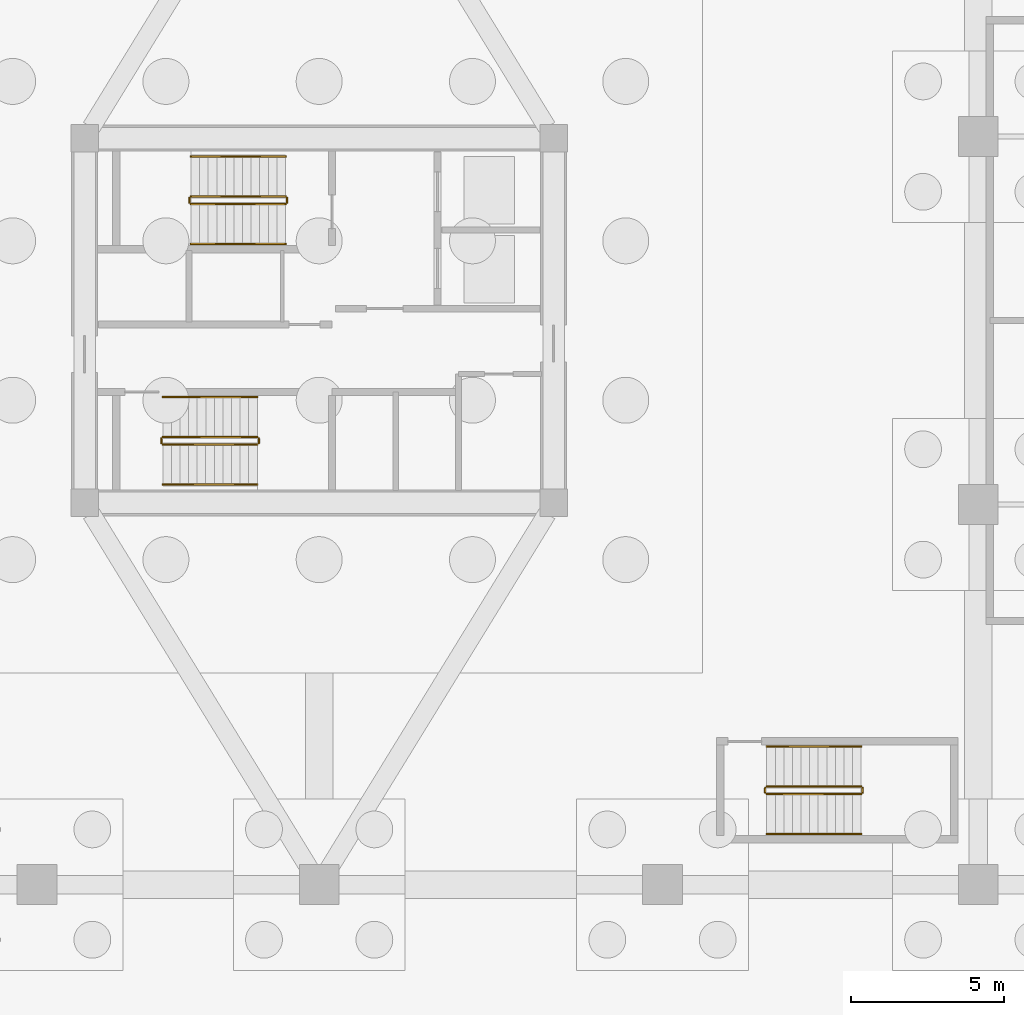
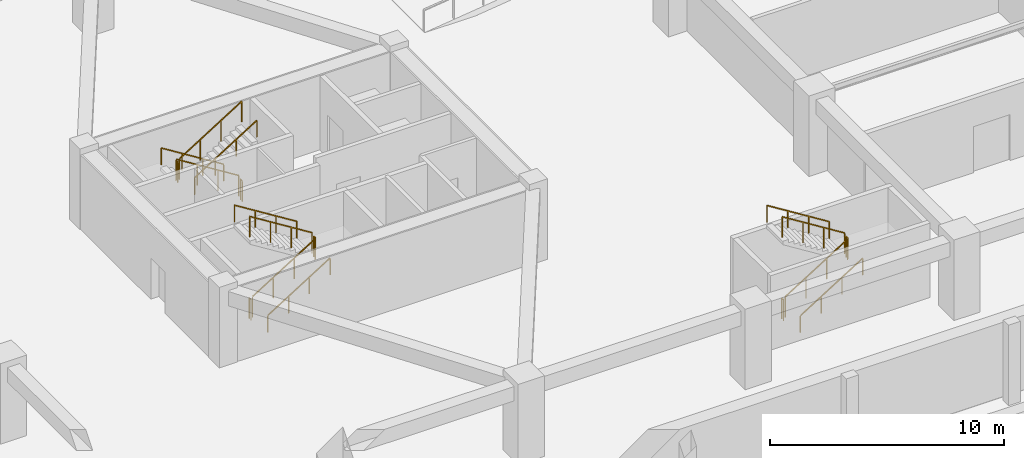
# One storey, part 10 of 14: 18 railings.
"""IFC4 building model written with IfcOpenShell, lengths in metres."""

import ifcopenshell
import ifcopenshell.guid

model = None  # the IFC model being written
_history = None  # IfcOwnerHistory: only IFC2X3 demands one
_inside = {}  # id of a spatial element -> (the spatial element, [elements in it])
_under = {}  # id of a project, library or spatial element -> (it, [spatial elements below it])
_declared = {}  # id of a project -> (the project, [libraries it declares])
_typed = {}  # id of a type object -> (the type object, [elements of that type])
_made_of = {}  # id of a material, layer set ... -> (it, [elements and type objects made of it])


def new_model(schema):
    """Start an empty IFC model of exactly this schema.

    Asked for "IFC4X3", IfcOpenShell would pick the latest addendum, in which some entities
    have other attributes; the version numbers below select the first issue.
    IFC2X3 requires an IfcOwnerHistory on every rooted entity: one is made here for all.
    """
    global model, _history
    if schema == "IFC4X3":
        model = ifcopenshell.file(schema_version=(4, 3, 0, 0))
    else:
        model = ifcopenshell.file(schema=schema)
    _inside.clear()
    _under.clear()
    _declared.clear()
    _typed.clear()
    _made_of.clear()
    _history = None
    if model.schema == "IFC2X3":
        org = make("IfcOrganization", Name="unknown")
        user = make(
            "IfcPersonAndOrganization",
            ThePerson=make("IfcPerson", FamilyName="unknown"),
            TheOrganization=org,
        )
        app = make(
            "IfcApplication",
            ApplicationDeveloper=org,
            Version="unknown",
            ApplicationFullName="unknown",
            ApplicationIdentifier="unknown",
        )
        _history = make(
            "IfcOwnerHistory",
            OwningUser=user,
            OwningApplication=app,
            ChangeAction="ADDED",
            CreationDate=0,
        )
    return model


def make(cls, **values):
    """One entity of the class cls with the attributes given. An attribute that is None is left unset."""
    return model.create_entity(
        cls, **{name: value for name, value in values.items() if value is not None}
    )


def rooted(cls, **values):
    """An entity with a GlobalId (a new one), such as an element, a storey or a relation."""
    return make(cls, GlobalId=ifcopenshell.guid.new(), OwnerHistory=_history, **values)


def si_unit(unit_type, name, prefix=None):
    """IfcSIUnit, for example si_unit("LENGTHUNIT", "METRE", prefix="MILLI")."""
    return make("IfcSIUnit", UnitType=unit_type, Prefix=prefix, Name=name)


def assignment(units):
    """IfcUnitAssignment: the units of a project."""
    return None if units is None else make("IfcUnitAssignment", Units=units)


def point(xyz):
    """IfcCartesianPoint."""
    return None if xyz is None else make("IfcCartesianPoint", Coordinates=xyz)


def direction(xyz):
    """IfcDirection."""
    return None if xyz is None else make("IfcDirection", DirectionRatios=xyz)


def frame(location, z_axis=None, x_axis=None):
    """IfcAxis2Placement3D, a coordinate frame: its origin and axes. An axis left out is left unset."""
    return make(
        "IfcAxis2Placement3D",
        Location=point(location),
        Axis=direction(z_axis),
        RefDirection=direction(x_axis),
    )


def frame_2d(location, x_axis=None):
    """IfcAxis2Placement2D, a coordinate frame in the plane: its origin and x axis."""
    return make(
        "IfcAxis2Placement2D", Location=point(location), RefDirection=direction(x_axis)
    )


def origin():
    """The frame at (0, 0, 0) with its axes left unset."""
    return frame((0.0, 0.0, 0.0))


def origin_2d():
    """The frame at (0, 0) in the plane with its x axis left unset."""
    return frame_2d((0.0, 0.0))


def place(relative_to, where):
    """IfcLocalPlacement: puts the frame where relative to a parent placement (None: the world)."""
    return make(
        "IfcLocalPlacement", PlacementRelTo=relative_to, RelativePlacement=where
    )


def context(
    kind, dimensions, precision=None, world=None, true_north=None, identifier=None
):
    """IfcGeometricRepresentationContext, for example the 3D "Model" context."""
    return make(
        "IfcGeometricRepresentationContext",
        ContextIdentifier=identifier,
        ContextType=kind,
        CoordinateSpaceDimension=dimensions,
        Precision=precision,
        WorldCoordinateSystem=world,
        TrueNorth=true_north,
    )


def subcontext(parent, identifier, kind, view, scale=None):
    """IfcGeometricRepresentationSubContext, for example "Body" below "Model"."""
    return make(
        "IfcGeometricRepresentationSubContext",
        ContextIdentifier=identifier,
        ContextType=kind,
        ParentContext=parent,
        TargetScale=scale,
        TargetView=view,
    )


def project(units=None, contexts=None):
    """IfcProject with its units and contexts."""
    return rooted(
        "IfcProject",
        Name="project",
        RepresentationContexts=contexts,
        UnitsInContext=assignment(units),
    )


def spatial(cls, under=None, at=None, **own):
    """A site, building, storey or space (cls), placed at a placement, below another one or the project."""
    s = rooted(cls, ObjectPlacement=at, **own)
    if under is not None:
        _under.setdefault(under.id(), (under, []))[1].append(s)
    return s


def profile(cls, at=None, kind="AREA", **sizes):
    """A parametric profile (cls). Its sizes go by their IFC names, for example OverallWidth=200.0."""
    return make(cls, ProfileType=kind, Position=at, **sizes)


def rectangle(**sizes):
    """IfcRectangleProfileDef."""
    return profile("IfcRectangleProfileDef", **sizes)


def extrude(swept, where, along, depth):
    """IfcExtrudedAreaSolid: the profile swept, set in the frame where, extruded along a direction by depth."""
    return make(
        "IfcExtrudedAreaSolid",
        SweptArea=swept,
        Position=where,
        ExtrudedDirection=direction(along),
        Depth=depth,
    )


def shape(context_of_items, identifier, shape_type, items):
    """IfcShapeRepresentation: the items that make up one representation, for example the "Body"."""
    return make(
        "IfcShapeRepresentation",
        ContextOfItems=context_of_items,
        RepresentationIdentifier=identifier,
        RepresentationType=shape_type,
        Items=items,
    )


def material(Name=None, Category=None):
    """IfcMaterial."""
    return make("IfcMaterial", Name=Name, Category=Category)


def made_of(thing, what):
    """Note that an element or type object is made of a material, layer set ...; save() writes the relation."""
    if what is not None:
        _made_of.setdefault(what.id(), (what, []))[1].append(thing)
    return thing


def type_object(cls, material=None, **own):
    """A type object (cls), such as IfcWallType, which elements share."""
    return made_of(rooted(cls, **own), material)


def element(
    cls,
    number,
    at=None,
    inside=None,
    cuts=None,
    type_object=None,
    material=None,
    context=None,
    identifier="Body",
    shape_type=None,
    held_by="IfcProductDefinitionShape",
    body=None,
    shapes=None,
    **own,
):
    """One element of the class cls, such as IfcWall. Its Tag is "e" and its number.

    at: its placement. inside: the storey or other place that contains it. cuts: it is an
    opening in that element (IfcRelVoidsElement). A single representation is given by context,
    identifier, shape_type and body (its items); several are given by shapes. held_by: the class
    of the entity that holds the representations. save() writes the other relations.
    """
    e = rooted(cls, Tag="e%d" % number, ObjectPlacement=at, **own)
    if body is not None:
        shapes = [shape(context, identifier, shape_type, body)]
    if shapes is not None:
        e.Representation = make(held_by, Representations=shapes)
    if inside is not None:
        _inside.setdefault(inside.id(), (inside, []))[1].append(e)
    if cuts is not None:
        rooted(
            "IfcRelVoidsElement", RelatingBuildingElement=cuts, RelatedOpeningElement=e
        )
    if type_object is not None:
        _typed.setdefault(type_object.id(), (type_object, []))[1].append(e)
    return made_of(e, material)


def aggregate(whole, parts):
    """IfcRelAggregates: a whole, such as a stair, and the parts it consists of."""
    return rooted("IfcRelAggregates", RelatingObject=whole, RelatedObjects=parts)


def save(model, path):
    """Write the relations noted so far, then the file.

    IfcRelAggregates (storeys below a building ...), IfcRelContainedInSpatialStructure (elements
    in a storey), IfcRelDefinesByType, IfcRelAssociatesMaterial and IfcRelDeclares: one each for
    every whole, place, type object, material and project.
    """
    for whole, parts in _under.values():
        aggregate(whole, parts)
    for where, things in _inside.values():
        rooted(
            "IfcRelContainedInSpatialStructure",
            RelatedElements=things,
            RelatingStructure=where,
        )
    for kind, things in _typed.values():
        rooted("IfcRelDefinesByType", RelatedObjects=things, RelatingType=kind)
    for what, things in _made_of.values():
        rooted("IfcRelAssociatesMaterial", RelatedObjects=things, RelatingMaterial=what)
    for by, libraries in _declared.values():
        rooted("IfcRelDeclares", RelatingContext=by, RelatedDefinitions=libraries)
    model.write(path)


model = new_model("IFC4")

# Units and contexts
model_context = context("Model", 3, precision=1e-05, world=origin(), true_north=direction((0.0, 1.0)))
body_context = subcontext(model_context, "Body", "Model", "MODEL_VIEW")
ifc_project = project(units=[si_unit("LENGTHUNIT", "METRE"), si_unit("AREAUNIT", "SQUARE_METRE"), si_unit("VOLUMEUNIT", "CUBIC_METRE"), si_unit("PLANEANGLEUNIT", "RADIAN"), si_unit("MASSUNIT", "GRAM", prefix="KILO")], contexts=[model_context])

# Site, building, storey
site_placement = place(None, origin())
site = spatial("IfcSite", under=ifc_project, at=site_placement, CompositionType="ELEMENT")
building_placement = place(site_placement, origin())
building = spatial("IfcBuilding", under=site, at=building_placement, Name="Norrkilde Senior Care Towers", CompositionType="ELEMENT")
storey_placement = place(building_placement, frame((0.0, 0.0, -8.39990234375)))
storey = spatial("IfcBuildingStorey", under=building, at=storey_placement, Name="B2", CompositionType="ELEMENT", Elevation=-8.39990234375)

# Railings
ifc_material_1 = material(Name="Stainless Steel", Category="steel")
railing_type_1 = type_object("IfcRailingType", Name="Stair and Terrace Guardrail 1100", PredefinedType="GUARDRAIL", material=ifc_material_1)
railing_1_placement = place(storey_placement, frame((-29.10009765625, 4.050048828125, 0.1748046875)))
element("IfcRailing", 1, at=railing_1_placement, inside=storey, type_object=railing_type_1, Name="B2 ST-W1 stair guard 1", PredefinedType="GUARDRAIL", context=body_context, shape_type="SweptSolid", body=[
    extrude(rectangle(XDim=0.048095703125, YDim=0.048095703125, at=origin_2d()), frame((0.0, 0.0, 1.076171875), z_axis=(-0.847979421464, 0.0, 0.530029150871), x_axis=(0.0, -1.0, 0.0)), (0.0, 0.0, 1.0), 3.632080078125),
    extrude(rectangle(XDim=0.0419921875, YDim=0.0419921875, at=origin_2d()), origin(), (0.0, 0.0, 1.0), 1.050048828125),
    extrude(rectangle(XDim=0.0419921875, YDim=0.0419921875, at=origin_2d()), frame((-1.026611328125, 0.0, 0.6416015625)), (0.0, 0.0, 1.0), 1.050048828125),
    extrude(rectangle(XDim=0.0419921875, YDim=0.0419921875, at=origin_2d()), frame((-2.05322265625, 0.0, 1.283447265625)), (0.0, 0.0, 1.0), 1.050048828125),
    extrude(rectangle(XDim=0.0419921875, YDim=0.0419921875, at=origin_2d()), frame((-3.079833984375, 0.0, 1.925048828125)), (0.0, 0.0, 1.0), 1.050048828125),
])
railing_2_placement = place(storey_placement, frame((-32.22998046875, 4.0, 2.099853515625)))
element("IfcRailing", 2, at=railing_2_placement, inside=storey, type_object=railing_type_1, Name="B2 ST-W1 stair guard 2", PredefinedType="GUARDRAIL", context=body_context, shape_type="SweptSolid", body=[
    extrude(rectangle(XDim=0.048095703125, YDim=0.048095703125, at=origin_2d()), frame((0.0, 0.0, 1.076171875), z_axis=(0.0, -1.0, 0.0), x_axis=(1.0, 0.0, 0.0)), (0.0, 0.0, 1.0), 0.14990234375),
    extrude(rectangle(XDim=0.0419921875, YDim=0.0419921875, at=origin_2d()), origin(), (0.0, 0.0, 1.0), 1.050048828125),
    extrude(rectangle(XDim=0.0419921875, YDim=0.0419921875, at=origin_2d()), frame((0.0, -0.14990234375, 0.0)), (0.0, 0.0, 1.0), 1.050048828125),
])
railing_3_placement = place(storey_placement, frame((-32.179931640625, 3.800048828125, 2.27490234375)))
element("IfcRailing", 3, at=railing_3_placement, inside=storey, type_object=railing_type_1, Name="B2 ST-W1 stair guard 3", PredefinedType="GUARDRAIL", context=body_context, shape_type="SweptSolid", body=[
    extrude(rectangle(XDim=0.048095703125, YDim=0.048095703125, at=origin_2d()), frame((0.0, 0.0, 1.076171875), z_axis=(0.847979421464, 0.0, 0.530029150871), x_axis=(0.0, 1.0, 0.0)), (0.0, 0.0, 1.0), 3.632080078125),
    extrude(rectangle(XDim=0.0419921875, YDim=0.0419921875, at=origin_2d()), origin(), (0.0, 0.0, 1.0), 1.050048828125),
    extrude(rectangle(XDim=0.0419921875, YDim=0.0419921875, at=origin_2d()), frame((1.026611328125, 0.0, 0.6416015625)), (0.0, 0.0, 1.0), 1.050048828125),
    extrude(rectangle(XDim=0.0419921875, YDim=0.0419921875, at=origin_2d()), frame((2.05322265625, 0.0, 1.283447265625)), (0.0, 0.0, 1.0), 1.050048828125),
    extrude(rectangle(XDim=0.0419921875, YDim=0.0419921875, at=origin_2d()), frame((3.079833984375, 0.0, 1.925048828125)), (0.0, 0.0, 1.0), 1.050048828125),
])
railing_4_placement = place(storey_placement, frame((-29.050048828125, 4.0, 0.0)))
element("IfcRailing", 4, at=railing_4_placement, inside=storey, type_object=railing_type_1, Name="B2 ST-W1 stair guard 4", PredefinedType="GUARDRAIL", context=body_context, shape_type="SweptSolid", body=[
    extrude(rectangle(XDim=0.048095703125, YDim=0.048095703125, at=origin_2d()), frame((0.0, 0.0, 1.076171875), z_axis=(0.0, -1.0, 0.0), x_axis=(1.0, 0.0, 0.0)), (0.0, 0.0, 1.0), 0.14990234375),
    extrude(rectangle(XDim=0.0419921875, YDim=0.0419921875, at=origin_2d()), origin(), (0.0, 0.0, 1.0), 1.050048828125),
    extrude(rectangle(XDim=0.0419921875, YDim=0.0419921875, at=origin_2d()), frame((0.0, -0.14990234375, 0.0)), (0.0, 0.0, 1.0), 1.050048828125),
])
railing_5_placement = place(storey_placement, frame((-33.10009765625, -4.050048828125, 0.1748046875)))
element("IfcRailing", 5, at=railing_5_placement, inside=storey, type_object=railing_type_1, Name="B2 ST-W2 stair guard 1", PredefinedType="GUARDRAIL", context=body_context, shape_type="SweptSolid", body=[
    extrude(rectangle(XDim=0.048095703125, YDim=0.048095703125, at=origin_2d()), frame((0.0, 0.0, 1.076171875), z_axis=(0.847998304005, 0.0, 0.529998940003), x_axis=(0.0, 1.0, 0.0)), (0.0, 0.0, 1.0), 3.632080078125),
    extrude(rectangle(XDim=0.0419921875, YDim=0.0419921875, at=origin_2d()), origin(), (0.0, 0.0, 1.0), 1.050048828125),
    extrude(rectangle(XDim=0.0419921875, YDim=0.0419921875, at=origin_2d()), frame((1.026611328125, 0.0, 0.6416015625)), (0.0, 0.0, 1.0), 1.050048828125),
    extrude(rectangle(XDim=0.0419921875, YDim=0.0419921875, at=origin_2d()), frame((2.053466796875, 0.0, 1.283447265625)), (0.0, 0.0, 1.0), 1.050048828125),
    extrude(rectangle(XDim=0.0419921875, YDim=0.0419921875, at=origin_2d()), frame((3.080078125, 0.0, 1.925048828125)), (0.0, 0.0, 1.0), 1.050048828125),
])
railing_6_placement = place(storey_placement, frame((-29.969970703125, -4.0, 2.099853515625)))
element("IfcRailing", 6, at=railing_6_placement, inside=storey, type_object=railing_type_1, Name="B2 ST-W2 stair guard 2", PredefinedType="GUARDRAIL", context=body_context, shape_type="SweptSolid", body=[
    extrude(rectangle(XDim=0.048095703125, YDim=0.048095703125, at=origin_2d()), frame((0.0, 0.0, 1.076171875), z_axis=(0.0, 1.0, 0.0), x_axis=(-1.0, 0.0, 0.0)), (0.0, 0.0, 1.0), 0.14990234375),
    extrude(rectangle(XDim=0.0419921875, YDim=0.0419921875, at=origin_2d()), origin(), (0.0, 0.0, 1.0), 1.050048828125),
    extrude(rectangle(XDim=0.0419921875, YDim=0.0419921875, at=origin_2d()), frame((0.0, 0.14990234375, 0.0)), (0.0, 0.0, 1.0), 1.050048828125),
])
railing_7_placement = place(storey_placement, frame((-30.02001953125, -3.800048828125, 2.27490234375)))
element("IfcRailing", 7, at=railing_7_placement, inside=storey, type_object=railing_type_1, Name="B2 ST-W2 stair guard 3", PredefinedType="GUARDRAIL", context=body_context, shape_type="SweptSolid", body=[
    extrude(rectangle(XDim=0.048095703125, YDim=0.048095703125, at=origin_2d()), frame((0.0, 0.0, 1.076171875), z_axis=(-0.847998304005, 0.0, 0.529998940003), x_axis=(0.0, -1.0, 0.0)), (0.0, 0.0, 1.0), 3.632080078125),
    extrude(rectangle(XDim=0.0419921875, YDim=0.0419921875, at=origin_2d()), origin(), (0.0, 0.0, 1.0), 1.050048828125),
    extrude(rectangle(XDim=0.0419921875, YDim=0.0419921875, at=origin_2d()), frame((-1.026611328125, 0.0, 0.6416015625)), (0.0, 0.0, 1.0), 1.050048828125),
    extrude(rectangle(XDim=0.0419921875, YDim=0.0419921875, at=origin_2d()), frame((-2.053466796875, 0.0, 1.283447265625)), (0.0, 0.0, 1.0), 1.050048828125),
    extrude(rectangle(XDim=0.0419921875, YDim=0.0419921875, at=origin_2d()), frame((-3.080078125, 0.0, 1.925048828125)), (0.0, 0.0, 1.0), 1.050048828125),
])
railing_8_placement = place(storey_placement, frame((-33.14990234375, -4.0, 0.0)))
element("IfcRailing", 8, at=railing_8_placement, inside=storey, type_object=railing_type_1, Name="B2 ST-W2 stair guard 4", PredefinedType="GUARDRAIL", context=body_context, shape_type="SweptSolid", body=[
    extrude(rectangle(XDim=0.048095703125, YDim=0.048095703125, at=origin_2d()), frame((0.0, 0.0, 1.076171875), z_axis=(0.0, 1.0, 0.0), x_axis=(-1.0, 0.0, 0.0)), (0.0, 0.0, 1.0), 0.14990234375),
    extrude(rectangle(XDim=0.0419921875, YDim=0.0419921875, at=origin_2d()), origin(), (0.0, 0.0, 1.0), 1.050048828125),
    extrude(rectangle(XDim=0.0419921875, YDim=0.0419921875, at=origin_2d()), frame((0.0, 0.14990234375, 0.0)), (0.0, 0.0, 1.0), 1.050048828125),
])
railing_9_placement = place(storey_placement, frame((-13.39990234375, -15.449951171875, 0.1748046875)))
element("IfcRailing", 9, at=railing_9_placement, inside=storey, type_object=railing_type_1, Name="B2 ST-P1 stair guard 1", PredefinedType="GUARDRAIL", context=body_context, shape_type="SweptSolid", body=[
    extrude(rectangle(XDim=0.048095703125, YDim=0.048095703125, at=origin_2d()), frame((0.0, 0.0, 1.076171875), z_axis=(0.847979421464, 0.0, 0.530029150871), x_axis=(0.0, 1.0, 0.0)), (0.0, 0.0, 1.0), 3.632080078125),
    extrude(rectangle(XDim=0.0419921875, YDim=0.0419921875, at=origin_2d()), origin(), (0.0, 0.0, 1.0), 1.050048828125),
    extrude(rectangle(XDim=0.0419921875, YDim=0.0419921875, at=origin_2d()), frame((1.026611328125, 0.0, 0.6416015625)), (0.0, 0.0, 1.0), 1.050048828125),
    extrude(rectangle(XDim=0.0419921875, YDim=0.0419921875, at=origin_2d()), frame((2.05322265625, 0.0, 1.283447265625)), (0.0, 0.0, 1.0), 1.050048828125),
    extrude(rectangle(XDim=0.0419921875, YDim=0.0419921875, at=origin_2d()), frame((3.079833984375, 0.0, 1.925048828125)), (0.0, 0.0, 1.0), 1.050048828125),
])
railing_10_placement = place(storey_placement, frame((-10.27001953125, -15.39990234375, 2.099853515625)))
element("IfcRailing", 10, at=railing_10_placement, inside=storey, type_object=railing_type_1, Name="B2 ST-P1 stair guard 2", PredefinedType="GUARDRAIL", context=body_context, shape_type="SweptSolid", body=[
    extrude(rectangle(XDim=0.048095703125, YDim=0.048095703125, at=origin_2d()), frame((0.0, 0.0, 1.076171875), z_axis=(0.0, 1.0, 0.0), x_axis=(-1.0, 0.0, 0.0)), (0.0, 0.0, 1.0), 0.14990234375),
    extrude(rectangle(XDim=0.0419921875, YDim=0.0419921875, at=origin_2d()), origin(), (0.0, 0.0, 1.0), 1.050048828125),
    extrude(rectangle(XDim=0.0419921875, YDim=0.0419921875, at=origin_2d()), frame((0.0, 0.14990234375, 0.0)), (0.0, 0.0, 1.0), 1.050048828125),
])
railing_11_placement = place(storey_placement, frame((-10.320068359375, -15.199951171875, 2.27490234375)))
element("IfcRailing", 11, at=railing_11_placement, inside=storey, type_object=railing_type_1, Name="B2 ST-P1 stair guard 3", PredefinedType="GUARDRAIL", context=body_context, shape_type="SweptSolid", body=[
    extrude(rectangle(XDim=0.048095703125, YDim=0.048095703125, at=origin_2d()), frame((0.0, 0.0, 1.076171875), z_axis=(-0.847979421464, 0.0, 0.530029150871), x_axis=(0.0, -1.0, 0.0)), (0.0, 0.0, 1.0), 3.632080078125),
    extrude(rectangle(XDim=0.0419921875, YDim=0.0419921875, at=origin_2d()), origin(), (0.0, 0.0, 1.0), 1.050048828125),
    extrude(rectangle(XDim=0.0419921875, YDim=0.0419921875, at=origin_2d()), frame((-1.026611328125, 0.0, 0.6416015625)), (0.0, 0.0, 1.0), 1.050048828125),
    extrude(rectangle(XDim=0.0419921875, YDim=0.0419921875, at=origin_2d()), frame((-2.05322265625, 0.0, 1.283447265625)), (0.0, 0.0, 1.0), 1.050048828125),
    extrude(rectangle(XDim=0.0419921875, YDim=0.0419921875, at=origin_2d()), frame((-3.079833984375, 0.0, 1.925048828125)), (0.0, 0.0, 1.0), 1.050048828125),
])
railing_12_placement = place(storey_placement, frame((-13.449951171875, -15.39990234375, 0.0)))
element("IfcRailing", 12, at=railing_12_placement, inside=storey, type_object=railing_type_1, Name="B2 ST-P1 stair guard 4", PredefinedType="GUARDRAIL", context=body_context, shape_type="SweptSolid", body=[
    extrude(rectangle(XDim=0.048095703125, YDim=0.048095703125, at=origin_2d()), frame((0.0, 0.0, 1.076171875), z_axis=(0.0, 1.0, 0.0), x_axis=(-1.0, 0.0, 0.0)), (0.0, 0.0, 1.0), 0.14990234375),
    extrude(rectangle(XDim=0.0419921875, YDim=0.0419921875, at=origin_2d()), origin(), (0.0, 0.0, 1.0), 1.050048828125),
    extrude(rectangle(XDim=0.0419921875, YDim=0.0419921875, at=origin_2d()), frame((0.0, 0.14990234375, 0.0)), (0.0, 0.0, 1.0), 1.050048828125),
])
ifc_material_2 = material(Name="Nordic Ash Timber", Category="wood")
railing_type_2 = type_object("IfcRailingType", Name="Wall and Stair Handrail 900", PredefinedType="HANDRAIL", material=ifc_material_2)
railing_13_placement = place(storey_placement, frame((-29.10009765625, 5.35009765625, 0.1748046875)))
element("IfcRailing", 13, at=railing_13_placement, inside=storey, type_object=railing_type_2, Name="B2 ST-W1 stair handrail 1", PredefinedType="HANDRAIL", context=body_context, shape_type="SweptSolid", body=[
    extrude(rectangle(XDim=0.048095703125, YDim=0.048095703125, at=origin_2d()), frame((0.0, 0.0, 0.8759765625), z_axis=(-0.847979421464, 0.0, 0.530029150871), x_axis=(0.0, -1.0, 0.0)), (0.0, 0.0, 1.0), 3.632080078125),
    extrude(rectangle(XDim=0.0419921875, YDim=0.0419921875, at=origin_2d()), origin(), (0.0, 0.0, 1.0), 0.849853515625),
    extrude(rectangle(XDim=0.0419921875, YDim=0.0419921875, at=origin_2d()), frame((-1.026611328125, 0.0, 0.6416015625)), (0.0, 0.0, 1.0), 0.849853515625),
    extrude(rectangle(XDim=0.0419921875, YDim=0.0419921875, at=origin_2d()), frame((-2.05322265625, 0.0, 1.283447265625)), (0.0, 0.0, 1.0), 0.849853515625),
    extrude(rectangle(XDim=0.0419921875, YDim=0.0419921875, at=origin_2d()), frame((-3.079833984375, 0.0, 1.925048828125)), (0.0, 0.0, 1.0), 0.849853515625),
])
railing_14_placement = place(storey_placement, frame((-32.179931640625, 2.5, 2.27490234375)))
element("IfcRailing", 14, at=railing_14_placement, inside=storey, type_object=railing_type_2, Name="B2 ST-W1 stair handrail 2", PredefinedType="HANDRAIL", context=body_context, shape_type="SweptSolid", body=[
    extrude(rectangle(XDim=0.048095703125, YDim=0.048095703125, at=origin_2d()), frame((0.0, 0.0, 0.8759765625), z_axis=(0.847979421464, 0.0, 0.530029150871), x_axis=(0.0, 1.0, 0.0)), (0.0, 0.0, 1.0), 3.632080078125),
    extrude(rectangle(XDim=0.0419921875, YDim=0.0419921875, at=origin_2d()), origin(), (0.0, 0.0, 1.0), 0.849853515625),
    extrude(rectangle(XDim=0.0419921875, YDim=0.0419921875, at=origin_2d()), frame((1.026611328125, 0.0, 0.6416015625)), (0.0, 0.0, 1.0), 0.849853515625),
    extrude(rectangle(XDim=0.0419921875, YDim=0.0419921875, at=origin_2d()), frame((2.05322265625, 0.0, 1.283447265625)), (0.0, 0.0, 1.0), 0.849853515625),
    extrude(rectangle(XDim=0.0419921875, YDim=0.0419921875, at=origin_2d()), frame((3.079833984375, 0.0, 1.925048828125)), (0.0, 0.0, 1.0), 0.849853515625),
])
railing_15_placement = place(storey_placement, frame((-33.10009765625, -5.35009765625, 0.1748046875)))
element("IfcRailing", 15, at=railing_15_placement, inside=storey, type_object=railing_type_2, Name="B2 ST-W2 stair handrail 1", PredefinedType="HANDRAIL", context=body_context, shape_type="SweptSolid", body=[
    extrude(rectangle(XDim=0.048095703125, YDim=0.048095703125, at=origin_2d()), frame((0.0, 0.0, 0.8759765625), z_axis=(0.847998304005, 0.0, 0.529998940003), x_axis=(0.0, 1.0, 0.0)), (0.0, 0.0, 1.0), 3.632080078125),
    extrude(rectangle(XDim=0.0419921875, YDim=0.0419921875, at=origin_2d()), origin(), (0.0, 0.0, 1.0), 0.849853515625),
    extrude(rectangle(XDim=0.0419921875, YDim=0.0419921875, at=origin_2d()), frame((1.026611328125, 0.0, 0.6416015625)), (0.0, 0.0, 1.0), 0.849853515625),
    extrude(rectangle(XDim=0.0419921875, YDim=0.0419921875, at=origin_2d()), frame((2.053466796875, 0.0, 1.283447265625)), (0.0, 0.0, 1.0), 0.849853515625),
    extrude(rectangle(XDim=0.0419921875, YDim=0.0419921875, at=origin_2d()), frame((3.080078125, 0.0, 1.925048828125)), (0.0, 0.0, 1.0), 0.849853515625),
])
railing_16_placement = place(storey_placement, frame((-30.02001953125, -2.5, 2.27490234375)))
element("IfcRailing", 16, at=railing_16_placement, inside=storey, type_object=railing_type_2, Name="B2 ST-W2 stair handrail 2", PredefinedType="HANDRAIL", context=body_context, shape_type="SweptSolid", body=[
    extrude(rectangle(XDim=0.048095703125, YDim=0.048095703125, at=origin_2d()), frame((0.0, 0.0, 0.8759765625), z_axis=(-0.847998304005, 0.0, 0.529998940003), x_axis=(0.0, -1.0, 0.0)), (0.0, 0.0, 1.0), 3.632080078125),
    extrude(rectangle(XDim=0.0419921875, YDim=0.0419921875, at=origin_2d()), origin(), (0.0, 0.0, 1.0), 0.849853515625),
    extrude(rectangle(XDim=0.0419921875, YDim=0.0419921875, at=origin_2d()), frame((-1.026611328125, 0.0, 0.6416015625)), (0.0, 0.0, 1.0), 0.849853515625),
    extrude(rectangle(XDim=0.0419921875, YDim=0.0419921875, at=origin_2d()), frame((-2.053466796875, 0.0, 1.283447265625)), (0.0, 0.0, 1.0), 0.849853515625),
    extrude(rectangle(XDim=0.0419921875, YDim=0.0419921875, at=origin_2d()), frame((-3.080078125, 0.0, 1.925048828125)), (0.0, 0.0, 1.0), 0.849853515625),
])
railing_17_placement = place(storey_placement, frame((-13.39990234375, -16.75, 0.1748046875)))
element("IfcRailing", 17, at=railing_17_placement, inside=storey, type_object=railing_type_2, Name="B2 ST-P1 stair handrail 1", PredefinedType="HANDRAIL", context=body_context, shape_type="SweptSolid", body=[
    extrude(rectangle(XDim=0.048095703125, YDim=0.048095703125, at=origin_2d()), frame((0.0, 0.0, 0.8759765625), z_axis=(0.847979421464, 0.0, 0.530029150871), x_axis=(0.0, 1.0, 0.0)), (0.0, 0.0, 1.0), 3.632080078125),
    extrude(rectangle(XDim=0.0419921875, YDim=0.0419921875, at=origin_2d()), origin(), (0.0, 0.0, 1.0), 0.849853515625),
    extrude(rectangle(XDim=0.0419921875, YDim=0.0419921875, at=origin_2d()), frame((1.026611328125, 0.0, 0.6416015625)), (0.0, 0.0, 1.0), 0.849853515625),
    extrude(rectangle(XDim=0.0419921875, YDim=0.0419921875, at=origin_2d()), frame((2.05322265625, 0.0, 1.283447265625)), (0.0, 0.0, 1.0), 0.849853515625),
    extrude(rectangle(XDim=0.0419921875, YDim=0.0419921875, at=origin_2d()), frame((3.079833984375, 0.0, 1.925048828125)), (0.0, 0.0, 1.0), 0.849853515625),
])
railing_18_placement = place(storey_placement, frame((-10.320068359375, -13.89990234375, 2.27490234375)))
element("IfcRailing", 18, at=railing_18_placement, inside=storey, type_object=railing_type_2, Name="B2 ST-P1 stair handrail 2", PredefinedType="HANDRAIL", context=body_context, shape_type="SweptSolid", body=[
    extrude(rectangle(XDim=0.048095703125, YDim=0.048095703125, at=origin_2d()), frame((0.0, 0.0, 0.8759765625), z_axis=(-0.847979421464, 0.0, 0.530029150871), x_axis=(0.0, -1.0, 0.0)), (0.0, 0.0, 1.0), 3.632080078125),
    extrude(rectangle(XDim=0.0419921875, YDim=0.0419921875, at=origin_2d()), origin(), (0.0, 0.0, 1.0), 0.849853515625),
    extrude(rectangle(XDim=0.0419921875, YDim=0.0419921875, at=origin_2d()), frame((-1.026611328125, 0.0, 0.6416015625)), (0.0, 0.0, 1.0), 0.849853515625),
    extrude(rectangle(XDim=0.0419921875, YDim=0.0419921875, at=origin_2d()), frame((-2.05322265625, 0.0, 1.283447265625)), (0.0, 0.0, 1.0), 0.849853515625),
    extrude(rectangle(XDim=0.0419921875, YDim=0.0419921875, at=origin_2d()), frame((-3.079833984375, 0.0, 1.925048828125)), (0.0, 0.0, 1.0), 0.849853515625),
])

save(model, "model.ifc")
